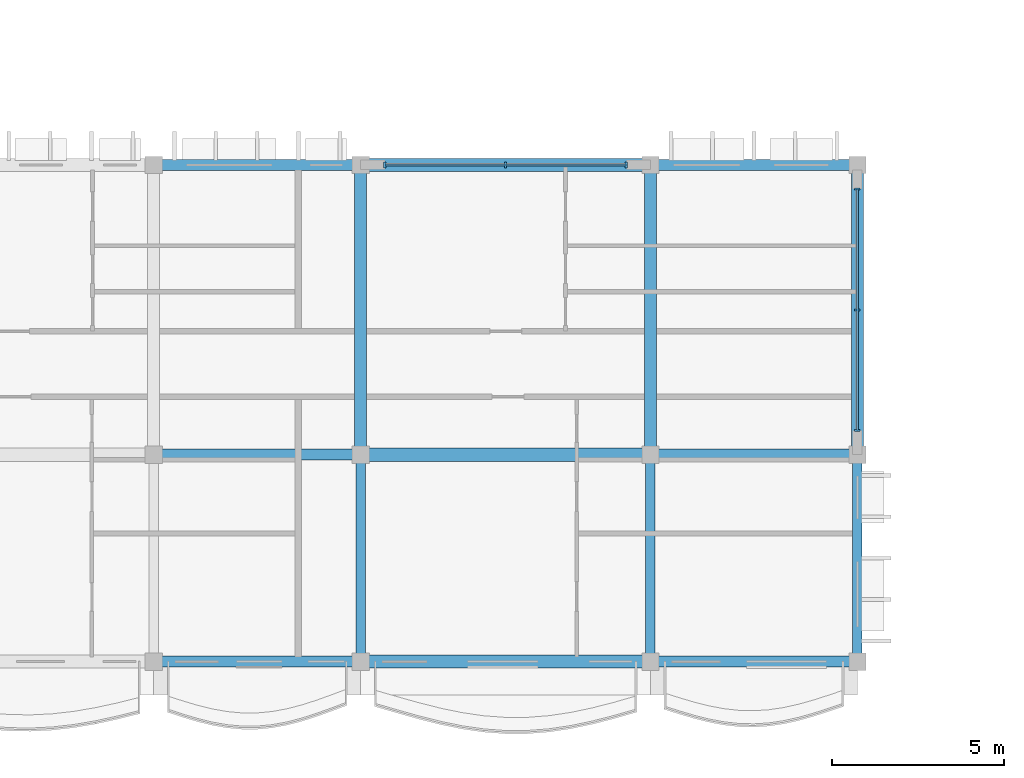
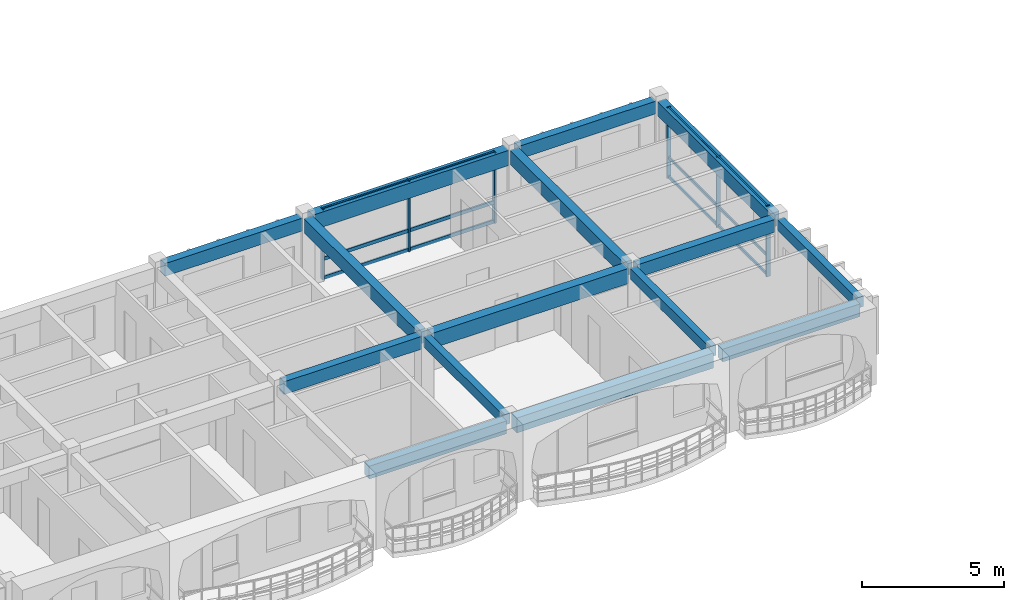
# One storey, part 6 of 68: 15 beams, 12 members, 2 elements without a shape of their own.
"""IFC4 building model written with IfcOpenShell, lengths in metres."""

from ifc_helpers import new_model, si_unit, direction, frame, origin, origin_2d, place, context, subcontext, project, spatial, rectangle, extrude, material, material_profile, profile_set, type_object, element, aggregate, save


model = new_model("IFC4")

# Units and contexts
model_context = context("Model", 3, precision=1e-05, world=origin(), true_north=direction((0.0, 1.0)))
body_context = subcontext(model_context, "Body", "Model", "MODEL_VIEW")
ifc_project = project(units=[si_unit("LENGTHUNIT", "METRE"), si_unit("AREAUNIT", "SQUARE_METRE"), si_unit("VOLUMEUNIT", "CUBIC_METRE"), si_unit("PLANEANGLEUNIT", "RADIAN"), si_unit("MASSUNIT", "GRAM", prefix="KILO"), si_unit("THERMODYNAMICTEMPERATUREUNIT", "KELVIN")], contexts=[model_context])

# Site, building, storey
site_placement = place(None, origin())
site = spatial("IfcSite", under=ifc_project, at=site_placement, CompositionType="ELEMENT")
building_placement = place(site_placement, origin())
building = spatial("IfcBuilding", under=site, at=building_placement, Name="Thalorik Housing Commons", CompositionType="ELEMENT")
storey_placement = place(building_placement, frame((0.0, 0.0, 24.60009765625)))
storey = spatial("IfcBuildingStorey", under=building, at=storey_placement, Name="L07", CompositionType="ELEMENT", Elevation=24.60009765625)

# Curtain wall, members
ifc_material_1 = material(Name="Anodised aluminium and solar-control low-E glass", Category="aluminium")
curtain_wall_type = type_object("IfcCurtainWallType", Name="ARC-CW-LOUNGE", PredefinedType="USERDEFINED", material=ifc_material_1)
curtain_wall_1_placement = place(storey_placement, origin())
curtain_wall_1 = element("IfcCurtainWall", 1, at=curtain_wall_1_placement, inside=storey, type_object=curtain_wall_type, Name="L07 Curtain Wall CW-RES-L07-C-160", ObjectType="CURTAIN WALL", PredefinedType="USERDEFINED")
ifc_material_2 = material(Name="Anodised aluminium 6063-T6", Category="aluminium")
ifc_material_profile_1 = material_profile(ifc_material_2, rectangle(XDim=0.06005859375, YDim=0.159912109375, at=origin_2d()), Name="ALU MUL 60x160", Category="aluminium")
ifc_profile_set_1 = profile_set([ifc_material_profile_1], Name="Anodised aluminium 6063-T6")
member_type_1 = type_object("IfcMemberType", Name="ARC-CW-MUL-60x160", PredefinedType="MULLION", material=ifc_profile_set_1)
member_1_placement = place(storey_placement, frame((57.60009765625, 15.10009765625, 0.0), z_axis=(0.0, 0.0, 1.0), x_axis=(0.0, 1.0, 0.0)))
member_1 = element("IfcMember", 2, at=member_1_placement, type_object=member_type_1, Name="CW-RES-L07-C-160 Mullion 1", PredefinedType="MULLION", context=body_context, shape_type="SweptSolid", body=[
    extrude(rectangle(XDim=0.06005859375, YDim=0.159912109375, at=origin_2d()), origin(), (0.0, 0.0, 1.0), 3.039794921875),
])
member_2_placement = place(storey_placement, frame((57.60009765625, 18.60009765625, 0.0), z_axis=(0.0, 0.0, 1.0), x_axis=(0.0, 1.0, 0.0)))
member_2 = element("IfcMember", 3, at=member_2_placement, type_object=member_type_1, Name="CW-RES-L07-C-160 Mullion 2", PredefinedType="MULLION", context=body_context, shape_type="SweptSolid", body=[
    extrude(rectangle(XDim=0.06005859375, YDim=0.159912109375, at=origin_2d()), origin(), (0.0, 0.0, 1.0), 3.039794921875),
])
member_3_placement = place(storey_placement, frame((57.60009765625, 22.10009765625, 0.0), z_axis=(0.0, 0.0, 1.0), x_axis=(0.0, 1.0, 0.0)))
member_3 = element("IfcMember", 4, at=member_3_placement, type_object=member_type_1, Name="CW-RES-L07-C-160 Mullion 3", PredefinedType="MULLION", context=body_context, shape_type="SweptSolid", body=[
    extrude(rectangle(XDim=0.06005859375, YDim=0.159912109375, at=origin_2d()), origin(), (0.0, 0.0, 1.0), 3.039794921875),
])

curtain_wall_2_placement = place(storey_placement, origin())
curtain_wall_2 = element("IfcCurtainWall", 5, at=curtain_wall_2_placement, inside=storey, type_object=curtain_wall_type, Name="L07 Curtain Wall CW-RES-L07-C-161", ObjectType="CURTAIN WALL", PredefinedType="USERDEFINED")
ifc_material_profile_2 = material_profile(ifc_material_2, rectangle(XDim=0.06494140625, YDim=0.179931640625, at=origin_2d()), Name="ALU MUL 65x180", Category="aluminium")
ifc_profile_set_2 = profile_set([ifc_material_profile_2], Name="Anodised aluminium 6063-T6")
member_type_2 = type_object("IfcMemberType", Name="ARC-CW-MUL-65x180", PredefinedType="MULLION", material=ifc_profile_set_2)
member_4_placement = place(storey_placement, frame((50.89990234375, 22.800048828125, 0.0), z_axis=(0.0, 0.0, 1.0), x_axis=(-1.0, 0.0, 0.0)))
member_4 = element("IfcMember", 6, at=member_4_placement, type_object=member_type_2, Name="CW-RES-L07-C-161 Mullion 1", PredefinedType="MULLION", context=body_context, shape_type="SweptSolid", body=[
    extrude(rectangle(XDim=0.06494140625, YDim=0.179931640625, at=origin_2d()), origin(), (0.0, 0.0, 1.0), 3.039794921875),
])
member_5_placement = place(storey_placement, frame((47.39990234375, 22.800048828125, 0.0), z_axis=(0.0, 0.0, 1.0), x_axis=(-1.0, 0.0, 0.0)))
member_5 = element("IfcMember", 7, at=member_5_placement, type_object=member_type_2, Name="CW-RES-L07-C-161 Mullion 2", PredefinedType="MULLION", context=body_context, shape_type="SweptSolid", body=[
    extrude(rectangle(XDim=0.06494140625, YDim=0.179931640625, at=origin_2d()), origin(), (0.0, 0.0, 1.0), 3.039794921875),
])
member_6_placement = place(storey_placement, frame((43.89990234375, 22.800048828125, 0.0), z_axis=(0.0, 0.0, 1.0), x_axis=(-1.0, 0.0, 0.0)))
member_6 = element("IfcMember", 8, at=member_6_placement, type_object=member_type_2, Name="CW-RES-L07-C-161 Mullion 3", PredefinedType="MULLION", context=body_context, shape_type="SweptSolid", body=[
    extrude(rectangle(XDim=0.06494140625, YDim=0.179931640625, at=origin_2d()), origin(), (0.0, 0.0, 1.0), 3.039794921875),
])

# Member
ifc_material_profile_3 = material_profile(ifc_material_2, rectangle(XDim=0.06005859375, YDim=0.1201171875, at=origin_2d()), Name="ALU TRN 60x120", Category="aluminium")
ifc_profile_set_3 = profile_set([ifc_material_profile_3], Name="Anodised aluminium 6063-T6")
member_type_3 = type_object("IfcMemberType", Name="ARC-CW-TRN-60x120", PredefinedType="USERDEFINED", material=ifc_profile_set_3)
member_7_placement = place(storey_placement, frame((57.60009765625, 15.10009765625, 0.054931640625), z_axis=(0.0, 1.0, 0.0), x_axis=(-1.0, 0.0, 0.0)))
member_7 = element("IfcMember", 9, at=member_7_placement, type_object=member_type_3, Name="CW-RES-L07-C-160 Transom 1", ObjectType="TRANSOM", PredefinedType="USERDEFINED", context=body_context, shape_type="SweptSolid", body=[
    extrude(rectangle(XDim=0.06005859375, YDim=0.1201171875, at=origin_2d()), origin(), (0.0, 0.0, 1.0), 7.0),
])

member_8_placement = place(storey_placement, frame((57.60009765625, 15.10009765625, 0.8798828125), z_axis=(0.0, 1.0, 0.0), x_axis=(-1.0, 0.0, 0.0)))
member_8 = element("IfcMember", 10, at=member_8_placement, type_object=member_type_3, Name="CW-RES-L07-C-160 Transom 2", ObjectType="TRANSOM", PredefinedType="USERDEFINED", context=body_context, shape_type="SweptSolid", body=[
    extrude(rectangle(XDim=0.06005859375, YDim=0.1201171875, at=origin_2d()), origin(), (0.0, 0.0, 1.0), 7.0),
])

member_9_placement = place(storey_placement, frame((57.60009765625, 15.10009765625, 2.98486328125), z_axis=(0.0, 1.0, 0.0), x_axis=(-1.0, 0.0, 0.0)))
member_9 = element("IfcMember", 11, at=member_9_placement, type_object=member_type_3, Name="CW-RES-L07-C-160 Transom 3", ObjectType="TRANSOM", PredefinedType="USERDEFINED", context=body_context, shape_type="SweptSolid", body=[
    extrude(rectangle(XDim=0.06005859375, YDim=0.1201171875, at=origin_2d()), origin(), (0.0, 0.0, 1.0), 7.0),
])

aggregate(curtain_wall_1, [member_1, member_2, member_3, member_7, member_8, member_9])

ifc_material_profile_4 = material_profile(ifc_material_2, rectangle(XDim=0.06494140625, YDim=0.14990234375, at=origin_2d()), Name="ALU TRN 65x150", Category="aluminium")
ifc_profile_set_4 = profile_set([ifc_material_profile_4], Name="Anodised aluminium 6063-T6")
member_type_4 = type_object("IfcMemberType", Name="ARC-CW-TRN-65x150", PredefinedType="USERDEFINED", material=ifc_profile_set_4)
member_10_placement = place(storey_placement, frame((50.89990234375, 22.800048828125, 0.054931640625), z_axis=(-1.0, 0.0, 0.0), x_axis=(0.0, -1.0, 0.0)))
member_10 = element("IfcMember", 12, at=member_10_placement, type_object=member_type_4, Name="CW-RES-L07-C-161 Transom 1", ObjectType="TRANSOM", PredefinedType="USERDEFINED", context=body_context, shape_type="SweptSolid", body=[
    extrude(rectangle(XDim=0.06494140625, YDim=0.14990234375, at=origin_2d()), origin(), (0.0, 0.0, 1.0), 7.0),
])

member_11_placement = place(storey_placement, frame((50.89990234375, 22.800048828125, 0.8798828125), z_axis=(-1.0, 0.0, 0.0), x_axis=(0.0, -1.0, 0.0)))
member_11 = element("IfcMember", 13, at=member_11_placement, type_object=member_type_4, Name="CW-RES-L07-C-161 Transom 2", ObjectType="TRANSOM", PredefinedType="USERDEFINED", context=body_context, shape_type="SweptSolid", body=[
    extrude(rectangle(XDim=0.06494140625, YDim=0.14990234375, at=origin_2d()), origin(), (0.0, 0.0, 1.0), 7.0),
])

member_12_placement = place(storey_placement, frame((50.89990234375, 22.800048828125, 2.98486328125), z_axis=(-1.0, 0.0, 0.0), x_axis=(0.0, -1.0, 0.0)))
member_12 = element("IfcMember", 14, at=member_12_placement, type_object=member_type_4, Name="CW-RES-L07-C-161 Transom 3", ObjectType="TRANSOM", PredefinedType="USERDEFINED", context=body_context, shape_type="SweptSolid", body=[
    extrude(rectangle(XDim=0.06494140625, YDim=0.14990234375, at=origin_2d()), origin(), (0.0, 0.0, 1.0), 7.0),
])

aggregate(curtain_wall_2, [member_4, member_5, member_6, member_10, member_11, member_12])

# Beams
ifc_material_3 = material(Name="Precast concrete C40/50", Category="concrete")
ifc_material_profile_5 = material_profile(ifc_material_3, rectangle(XDim=0.280029296875, YDim=0.449951171875, at=origin_2d()), Name="PC 280x450", Category="concrete")
ifc_profile_set_5 = profile_set([ifc_material_profile_5], Name="Precast concrete C40/50")
beam_type_1 = type_object("IfcBeamType", Name="STR-BM-PC280x450", PredefinedType="BEAM", material=ifc_profile_set_5)
for number, where, z_axis, x_axis, name in (
    (15, (43.199951171875, 8.60009765625, 2.81494140625), (0.0, 1.0, 0.0), (-1.0, 0.0, 0.0), "L07 Beam B-450"),
    (16, (51.60009765625, 8.60009765625, 2.81494140625), (0.0, 1.0, 0.0), (-1.0, 0.0, 0.0), "L07 Beam B-450"),
    (17, (57.60009765625, 8.60009765625, 2.81494140625), (0.0, 1.0, 0.0), (-1.0, 0.0, 0.0), "L07 Beam B-450"),
):
    element("IfcBeam", number, at=place(storey_placement, frame(where, z_axis=z_axis, x_axis=x_axis)), inside=storey, type_object=beam_type_1, Name=name, PredefinedType="BEAM", context=body_context, shape_type="SweptSolid", body=[
        extrude(rectangle(XDim=0.280029296875, YDim=0.449951171875, at=origin_2d()), origin(), (0.0, 0.0, 1.0), 5.599853515625),
    ])
ifc_material_profile_6 = material_profile(ifc_material_3, rectangle(XDim=0.320068359375, YDim=0.550048828125, at=origin_2d()), Name="PC 320x550", Category="concrete")
ifc_profile_set_6 = profile_set([ifc_material_profile_6], Name="Precast concrete C40/50")
beam_type_2 = type_object("IfcBeamType", Name="STR-BM-PC320x550", PredefinedType="BEAM", material=ifc_profile_set_6)
beam_1_placement = place(storey_placement, frame((37.39990234375, 8.39990234375, 2.764892578125), z_axis=(1.0, 0.0, 0.0), x_axis=(0.0, 1.0, 0.0)))
element("IfcBeam", 18, at=beam_1_placement, inside=storey, type_object=beam_type_2, Name="L07 Beam B-550", PredefinedType="BEAM", context=body_context, shape_type="SweptSolid", body=[
    extrude(rectangle(XDim=0.320068359375, YDim=0.550048828125, at=origin_2d()), origin(), (0.0, 0.0, 1.0), 5.60009765625),
])
beam_2_placement = place(storey_placement, frame((51.800048828125, 8.39990234375, 2.764892578125), z_axis=(1.0, 0.0, 0.0), x_axis=(0.0, 1.0, 0.0)))
element("IfcBeam", 19, at=beam_2_placement, inside=storey, type_object=beam_type_2, Name="L07 Beam B-550", PredefinedType="BEAM", context=body_context, shape_type="SweptSolid", body=[
    extrude(rectangle(XDim=0.320068359375, YDim=0.550048828125, at=origin_2d()), origin(), (0.0, 0.0, 1.0), 5.599853515625),
])
beam_3_placement = place(storey_placement, frame((37.39990234375, 14.39990234375, 2.764892578125), z_axis=(1.0, 0.0, 0.0), x_axis=(0.0, 1.0, 0.0)))
element("IfcBeam", 20, at=beam_3_placement, inside=storey, type_object=beam_type_2, Name="L07 Beam B-550", PredefinedType="BEAM", context=body_context, shape_type="SweptSolid", body=[
    extrude(rectangle(XDim=0.320068359375, YDim=0.550048828125, at=origin_2d()), origin(), (0.0, 0.0, 1.0), 5.60009765625),
])
beam_4_placement = place(storey_placement, frame((51.800048828125, 14.39990234375, 2.764892578125), z_axis=(1.0, 0.0, 0.0), x_axis=(0.0, 1.0, 0.0)))
element("IfcBeam", 21, at=beam_4_placement, inside=storey, type_object=beam_type_2, Name="L07 Beam B-550", PredefinedType="BEAM", context=body_context, shape_type="SweptSolid", body=[
    extrude(rectangle(XDim=0.320068359375, YDim=0.550048828125, at=origin_2d()), origin(), (0.0, 0.0, 1.0), 5.599853515625),
])
beam_5_placement = place(storey_placement, frame((37.39990234375, 22.800048828125, 2.764892578125), z_axis=(1.0, 0.0, 0.0), x_axis=(0.0, 1.0, 0.0)))
element("IfcBeam", 22, at=beam_5_placement, inside=storey, type_object=beam_type_2, Name="L07 Beam B-550", PredefinedType="BEAM", context=body_context, shape_type="SweptSolid", body=[
    extrude(rectangle(XDim=0.320068359375, YDim=0.550048828125, at=origin_2d()), origin(), (0.0, 0.0, 1.0), 5.60009765625),
])
beam_6_placement = place(storey_placement, frame((51.800048828125, 22.800048828125, 2.764892578125), z_axis=(1.0, 0.0, 0.0), x_axis=(0.0, 1.0, 0.0)))
element("IfcBeam", 23, at=beam_6_placement, inside=storey, type_object=beam_type_2, Name="L07 Beam B-550", PredefinedType="BEAM", context=body_context, shape_type="SweptSolid", body=[
    extrude(rectangle(XDim=0.320068359375, YDim=0.550048828125, at=origin_2d()), origin(), (0.0, 0.0, 1.0), 5.599853515625),
])
ifc_material_profile_7 = material_profile(ifc_material_3, rectangle(XDim=0.35009765625, YDim=0.60009765625, at=origin_2d()), Name="PC 350x600", Category="concrete")
ifc_profile_set_7 = profile_set([ifc_material_profile_7], Name="Precast concrete C40/50")
beam_type_3 = type_object("IfcBeamType", Name="STR-BM-PC350x600", PredefinedType="BEAM", material=ifc_profile_set_7)
for number, where, z_axis, x_axis, name in (
    (24, (43.199951171875, 14.60009765625, 2.739990234375), (0.0, 1.0, 0.0), (-1.0, 0.0, 0.0), "L07 Beam B-600"),
    (25, (51.60009765625, 14.60009765625, 2.739990234375), (0.0, 1.0, 0.0), (-1.0, 0.0, 0.0), "L07 Beam B-600"),
    (26, (57.60009765625, 14.60009765625, 2.739990234375), (0.0, 1.0, 0.0), (-1.0, 0.0, 0.0), "L07 Beam B-600"),
):
    element("IfcBeam", number, at=place(storey_placement, frame(where, z_axis=z_axis, x_axis=x_axis)), inside=storey, type_object=beam_type_3, Name=name, PredefinedType="BEAM", context=body_context, shape_type="SweptSolid", body=[
        extrude(rectangle(XDim=0.35009765625, YDim=0.60009765625, at=origin_2d()), origin(), (0.0, 0.0, 1.0), 8.0),
    ])
ifc_material_profile_8 = material_profile(ifc_material_3, rectangle(XDim=0.3798828125, YDim=0.64990234375, at=origin_2d()), Name="PC 380x650", Category="concrete")
ifc_profile_set_8 = profile_set([ifc_material_profile_8], Name="Precast concrete C40/50")
beam_type_4 = type_object("IfcBeamType", Name="STR-BM-PC380x650", PredefinedType="BEAM", material=ifc_profile_set_8)
for number, where, z_axis, x_axis, name in (
    (27, (43.39990234375, 8.39990234375, 2.71484375), (1.0, 0.0, 0.0), (0.0, 1.0, 0.0), "L07 Beam B-650"),
    (28, (43.39990234375, 14.39990234375, 2.71484375), (1.0, 0.0, 0.0), (0.0, 1.0, 0.0), "L07 Beam B-650"),
    (29, (43.39990234375, 22.800048828125, 2.71484375), (1.0, 0.0, 0.0), (0.0, 1.0, 0.0), "L07 Beam B-650"),
):
    element("IfcBeam", number, at=place(storey_placement, frame(where, z_axis=z_axis, x_axis=x_axis)), inside=storey, type_object=beam_type_4, Name=name, PredefinedType="BEAM", context=body_context, shape_type="SweptSolid", body=[
        extrude(rectangle(XDim=0.3798828125, YDim=0.64990234375, at=origin_2d()), origin(), (0.0, 0.0, 1.0), 8.0),
    ])

save(model, "model.ifc")
